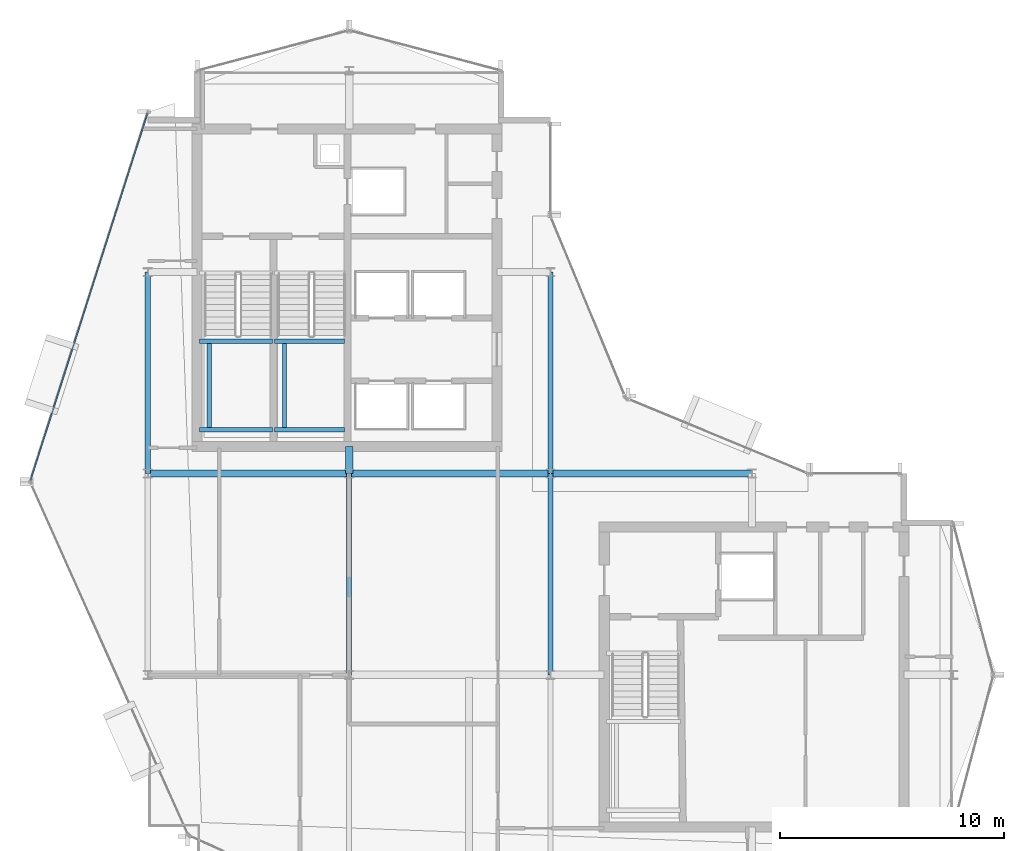
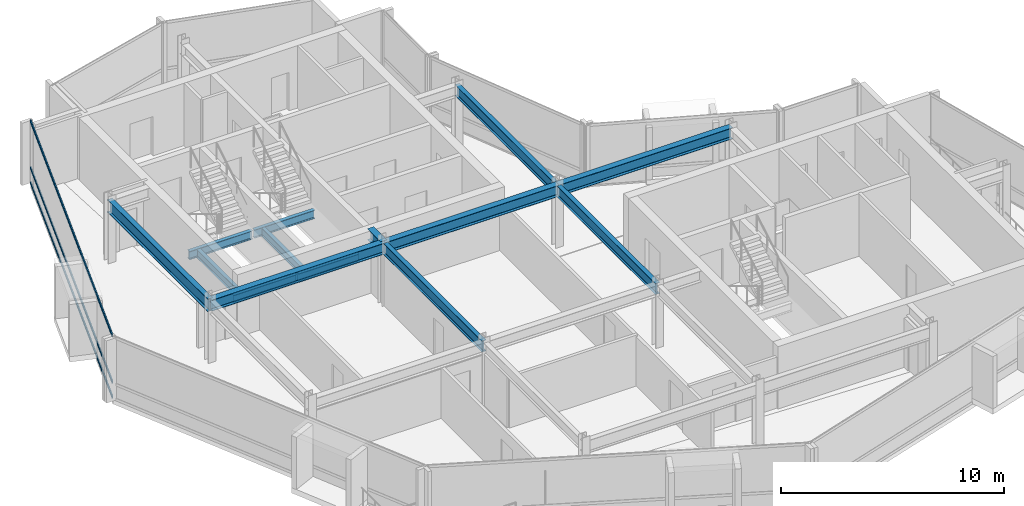
# One storey, part 7 of 19: 14 beams, 3 members, 1 element without a shape of its own.
"""IFC4 building model written with IfcOpenShell, lengths in metres."""

from ifc_helpers import new_model, si_unit, direction, frame, origin, origin_2d, place, context, subcontext, project, spatial, hollow_rectangle, i_section, extrude, material, layer, layer_set, material_profile, profile_set, type_object, element, aggregate, save


model = new_model("IFC4")

# Units and contexts
model_context = context("Model", 3, precision=1e-05, world=origin(), true_north=direction((0.0, 1.0)))
body_context = subcontext(model_context, "Body", "Model", "MODEL_VIEW")
ifc_project = project(units=[si_unit("LENGTHUNIT", "METRE"), si_unit("AREAUNIT", "SQUARE_METRE"), si_unit("VOLUMEUNIT", "CUBIC_METRE"), si_unit("PLANEANGLEUNIT", "RADIAN"), si_unit("MASSUNIT", "GRAM", prefix="KILO")], contexts=[model_context])

# Site, building, storey
site_placement = place(None, origin())
site = spatial("IfcSite", under=ifc_project, at=site_placement, CompositionType="ELEMENT")
building_placement = place(site_placement, origin())
building = spatial("IfcBuilding", under=site, at=building_placement, Name="Solvaryn Broadcast Tower", CompositionType="ELEMENT")
storey_placement = place(building_placement, frame((0.0, 0.0, 266.699951171875)))
storey = spatial("IfcBuildingStorey", under=building, at=storey_placement, Name="L67", CompositionType="ELEMENT", Elevation=266.699951171875)

# Beams
ifc_material_1 = material(Name="Steel ASTM A992 Grade 50", Category="steel")
ifc_material_profile_1 = material_profile(ifc_material_1, i_section(OverallWidth=0.323974609375, OverallDepth=0.611083984375, WebThickness=0.0126953125, FlangeThickness=0.01904296875, FilletRadius=0.014892578125, at=origin_2d()))
ifc_profile_set_1 = profile_set([ifc_material_profile_1], Name="Steel ASTM A992 Grade 50")
beam_type_1 = type_object("IfcBeamType", Name="BM-B1-W24X104", PredefinedType="BEAM", material=ifc_profile_set_1)
for number, where, z_axis, x_axis, name in (
    (1, (9.0, 27.0, 3.114501953125), (1.0, 0.0, 0.0), (0.0, 1.0, 0.0), "L67 Primary Beam X (9-18 @ Y=27)"),
    (2, (18.0, 27.0, 3.114501953125), (1.0, 0.0, 0.0), (0.0, 1.0, 0.0), "L67 Primary Beam X (18-27 @ Y=27)"),
    (3, (27.0, 27.0, 3.114501953125), (1.0, 0.0, 0.0), (0.0, 1.0, 0.0), "L67 Primary Beam X (27-36 @ Y=27)"),
):
    element("IfcBeam", number, at=place(storey_placement, frame(where, z_axis=z_axis, x_axis=x_axis)), inside=storey, type_object=beam_type_1, Name=name, PredefinedType="BEAM", context=body_context, shape_type="SweptSolid", body=[
        extrude(i_section(OverallWidth=0.323974609375, OverallDepth=0.611083984375, WebThickness=0.0126953125, FlangeThickness=0.01904296875, FilletRadius=0.014892578125, at=origin_2d()), origin(), (0.0, 0.0, 1.0), 9.0),
    ])
beam_1_placement = place(storey_placement, frame((18.0, 27.0, 3.114501953125), z_axis=(0.0, 1.0, 0.0), x_axis=(-1.0, 0.0, 0.0)))
element("IfcBeam", 4, at=beam_1_placement, inside=storey, type_object=beam_type_1, Name="L67 Core Tie Beam CTW4", PredefinedType="BEAM", context=body_context, shape_type="SweptSolid", body=[
    extrude(i_section(OverallWidth=0.323974609375, OverallDepth=0.611083984375, WebThickness=0.0126953125, FlangeThickness=0.01904296875, FilletRadius=0.014892578125, at=origin_2d()), origin(), (0.0, 0.0, 1.0), 1.199951171875),
])
ifc_material_2 = material(Name="Steel ASTM A992 Grade 50", Category="steel")
ifc_material_profile_2 = material_profile(ifc_material_2, i_section(OverallWidth=0.22802734375, OverallDepth=0.60791015625, WebThickness=0.01123046875, FlangeThickness=0.017333984375, FilletRadius=0.014892578125, at=origin_2d()))
ifc_profile_set_2 = profile_set([ifc_material_profile_2], Name="Steel ASTM A992 Grade 50")
beam_type_2 = type_object("IfcBeamType", Name="BM-B2-W24X76", PredefinedType="BEAM", material=ifc_profile_set_2)
for number, where, z_axis, x_axis, name in (
    (5, (18.0, 18.0, 3.115966796875), (0.0, 1.0, 0.0), (-1.0, 0.0, 0.0), "L67 Primary Beam Y (18-27 @ X=18)"),
    (6, (27.0, 18.0, 3.115966796875), (0.0, 1.0, 0.0), (-1.0, 0.0, 0.0), "L67 Primary Beam Y (18-27 @ X=27)"),
    (7, (27.0, 27.0, 3.115966796875), (0.0, 1.0, 0.0), (-1.0, 0.0, 0.0), "L67 Primary Beam Y (27-36 @ X=27)"),
):
    element("IfcBeam", number, at=place(storey_placement, frame(where, z_axis=z_axis, x_axis=x_axis)), inside=storey, type_object=beam_type_2, Name=name, PredefinedType="BEAM", context=body_context, shape_type="SweptSolid", body=[
        extrude(i_section(OverallWidth=0.22802734375, OverallDepth=0.60791015625, WebThickness=0.01123046875, FlangeThickness=0.017333984375, FilletRadius=0.014892578125, at=origin_2d()), origin(), (0.0, 0.0, 1.0), 9.0),
    ])
ifc_material_3 = material(Name="Steel ASTM A992 Grade 50", Category="steel")
ifc_material_profile_3 = material_profile(ifc_material_3, i_section(OverallWidth=0.18994140625, OverallDepth=0.45703125, WebThickness=0.009033203125, FlangeThickness=0.014404296875, FilletRadius=0.011962890625, at=origin_2d()))
ifc_profile_set_3 = profile_set([ifc_material_profile_3], Name="Steel ASTM A992 Grade 50")
beam_type_3 = type_object("IfcBeamType", Name="BM-B4-W18X50", PredefinedType="BEAM", material=ifc_profile_set_3)
for number, where, z_axis, x_axis, name in (
    (8, (11.300048828125, 28.949951171875, 1.421630859375), (1.0, 0.0, 0.0), (0.0, 1.0, 0.0), "L67 ST1 Landing Support Beam 1A"),
    (9, (11.300048828125, 32.909912109375, 1.421630859375), (1.0, 0.0, 0.0), (0.0, 1.0, 0.0), "L67 ST1 Landing Support Beam 1B"),
):
    element("IfcBeam", number, at=place(storey_placement, frame(where, z_axis=z_axis, x_axis=x_axis)), inside=storey, type_object=beam_type_3, Name=name, PredefinedType="BEAM", context=body_context, shape_type="SweptSolid", body=[
        extrude(i_section(OverallWidth=0.18994140625, OverallDepth=0.45703125, WebThickness=0.009033203125, FlangeThickness=0.014404296875, FilletRadius=0.011962890625, at=origin_2d()), origin(), (0.0, 0.0, 1.0), 3.280029296875),
    ])
beam_2_placement = place(storey_placement, frame((11.75, 28.949951171875, 1.421630859375), z_axis=(0.0, 1.0, 0.0), x_axis=(-1.0, 0.0, 0.0)))
element("IfcBeam", 10, at=beam_2_placement, inside=storey, type_object=beam_type_3, Name="L67 ST1 Landing Cross Stringer 1C", PredefinedType="BEAM", context=body_context, shape_type="SweptSolid", body=[
    extrude(i_section(OverallWidth=0.18994140625, OverallDepth=0.45703125, WebThickness=0.009033203125, FlangeThickness=0.014404296875, FilletRadius=0.011962890625, at=origin_2d()), origin(), (0.0, 0.0, 1.0), 3.9599609375),
])
for number, where, z_axis, x_axis, name in (
    (11, (14.659912109375, 28.949951171875, 1.421630859375), (1.0, 0.0, 0.0), (0.0, 1.0, 0.0), "L67 ST2 Landing Support Beam 1A"),
    (12, (14.659912109375, 32.909912109375, 1.421630859375), (1.0, 0.0, 0.0), (0.0, 1.0, 0.0), "L67 ST2 Landing Support Beam 1B"),
):
    element("IfcBeam", number, at=place(storey_placement, frame(where, z_axis=z_axis, x_axis=x_axis)), inside=storey, type_object=beam_type_3, Name=name, PredefinedType="BEAM", context=body_context, shape_type="SweptSolid", body=[
        extrude(i_section(OverallWidth=0.18994140625, OverallDepth=0.45703125, WebThickness=0.009033203125, FlangeThickness=0.014404296875, FilletRadius=0.011962890625, at=origin_2d()), origin(), (0.0, 0.0, 1.0), 3.14013671875),
    ])
beam_3_placement = place(storey_placement, frame((15.110107421875, 28.949951171875, 1.421630859375), z_axis=(0.0, 1.0, 0.0), x_axis=(-1.0, 0.0, 0.0)))
element("IfcBeam", 13, at=beam_3_placement, inside=storey, type_object=beam_type_3, Name="L67 ST2 Landing Cross Stringer 1C", PredefinedType="BEAM", context=body_context, shape_type="SweptSolid", body=[
    extrude(i_section(OverallWidth=0.18994140625, OverallDepth=0.45703125, WebThickness=0.009033203125, FlangeThickness=0.014404296875, FilletRadius=0.011962890625, at=origin_2d()), origin(), (0.0, 0.0, 1.0), 3.9599609375),
])
ifc_material_4 = material(Name="Steel ASTM A992 Grade 50", Category="steel")
ifc_material_profile_4 = material_profile(ifc_material_4, i_section(OverallWidth=0.256103515625, OverallDepth=0.693115234375, WebThickness=0.014404296875, FlangeThickness=0.023681640625, FilletRadius=0.01611328125, at=origin_2d()))
ifc_profile_set_4 = profile_set([ifc_material_profile_4], Name="Steel ASTM A992 Grade 50")
beam_type_4 = type_object("IfcBeamType", Name="BM-SP3-W27X114", PredefinedType="USERDEFINED", material=ifc_profile_set_4)
beam_4_placement = place(storey_placement, frame((9.0, 27.0, 3.073486328125), z_axis=(0.0, 1.0, 0.0), x_axis=(-1.0, 0.0, 0.0)))
element("IfcBeam", 14, at=beam_4_placement, inside=storey, type_object=beam_type_4, Name="L67 Spandrel Beam Y (27-36 @ X=9)", ObjectType="SPANDREL", PredefinedType="USERDEFINED", context=body_context, shape_type="SweptSolid", body=[
    extrude(i_section(OverallWidth=0.256103515625, OverallDepth=0.693115234375, WebThickness=0.014404296875, FlangeThickness=0.023681640625, FilletRadius=0.01611328125, at=origin_2d()), origin(), (0.0, 0.0, 1.0), 9.0),
])

# Curtain wall, members
ifc_material_5 = material(Name="Aluminium and Terracotta Unitised Curtain Wall", Category="masonry")
ifc_layer = layer(ifc_material_5, 0.199951171875)
ifc_layer_set = layer_set([ifc_layer], Name="CW-SYS2-LOWMID")
curtain_wall_type = type_object("IfcCurtainWallType", Name="CW-SYS2-LOWMID", PredefinedType="NOTDEFINED", material=ifc_layer_set)
curtain_wall_placement = place(storey_placement, origin())
curtain_wall = element("IfcCurtainWall", 15, at=curtain_wall_placement, inside=storey, type_object=curtain_wall_type, Name="L67 Curtain Wall DR1", PredefinedType="NOTDEFINED")
ifc_material_6 = material(Name="Anodised Aluminium 6063-T6", Category="aluminium")
ifc_material_profile_5 = material_profile(ifc_material_6, hollow_rectangle(XDim=0.06494140625, YDim=0.14990234375, WallThickness=0.00390625, InnerFilletRadius=0.00390625, OuterFilletRadius=0.008056640625, at=origin_2d()))
ifc_profile_set_5 = profile_set([ifc_material_profile_5], Name="Anodised Aluminium 6063-T6")
member_type = type_object("IfcMemberType", Name="CW-TRN-150", PredefinedType="USERDEFINED", material=ifc_profile_set_5)
member_1_placement = place(storey_placement, frame((8.981689453125, 43.091796875, 0.030029296875), z_axis=(-0.303616405252, -0.952794352661, 0.0), x_axis=(0.952794352661, -0.303616405252, 0.0)))
member_1 = element("IfcMember", 16, at=member_1_placement, type_object=member_type, Name="CWS2 transom 1.1", ObjectType="TRANSOM", PredefinedType="USERDEFINED", context=body_context, shape_type="SweptSolid", body=[
    extrude(hollow_rectangle(XDim=0.06494140625, YDim=0.14990234375, WallThickness=0.00390625, InnerFilletRadius=0.00390625, OuterFilletRadius=0.008056640625, at=origin_2d()), origin(), (0.0, 0.0, 1.0), 17.211181640625),
])
member_2_placement = place(storey_placement, frame((8.981689453125, 43.091796875, 0.85009765625), z_axis=(-0.303616405252, -0.952794352661, 0.0), x_axis=(0.952794352661, -0.303616405252, 0.0)))
member_2 = element("IfcMember", 17, at=member_2_placement, type_object=member_type, Name="CWS2 transom 1.2", ObjectType="TRANSOM", PredefinedType="USERDEFINED", context=body_context, shape_type="SweptSolid", body=[
    extrude(hollow_rectangle(XDim=0.06494140625, YDim=0.14990234375, WallThickness=0.00390625, InnerFilletRadius=0.00390625, OuterFilletRadius=0.008056640625, at=origin_2d()), origin(), (0.0, 0.0, 1.0), 17.211181640625),
])
member_3_placement = place(storey_placement, frame((8.981689453125, 43.091796875, 3.39013671875), z_axis=(-0.303616405252, -0.952794352661, 0.0), x_axis=(0.952794352661, -0.303616405252, 0.0)))
member_3 = element("IfcMember", 18, at=member_3_placement, type_object=member_type, Name="CWS2 transom 1.3", ObjectType="TRANSOM", PredefinedType="USERDEFINED", context=body_context, shape_type="SweptSolid", body=[
    extrude(hollow_rectangle(XDim=0.06494140625, YDim=0.14990234375, WallThickness=0.00390625, InnerFilletRadius=0.00390625, OuterFilletRadius=0.008056640625, at=origin_2d()), origin(), (0.0, 0.0, 1.0), 17.211181640625),
])
aggregate(curtain_wall, [member_1, member_2, member_3])

save(model, "model.ifc")
